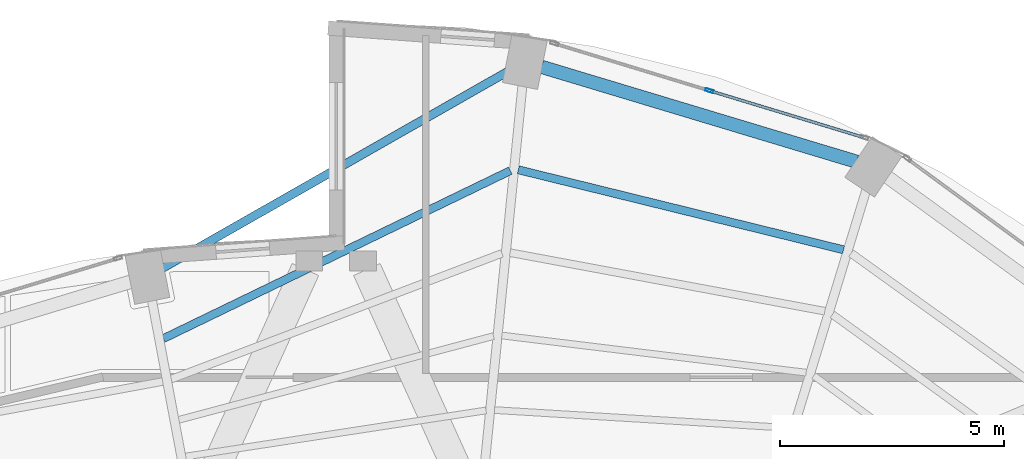
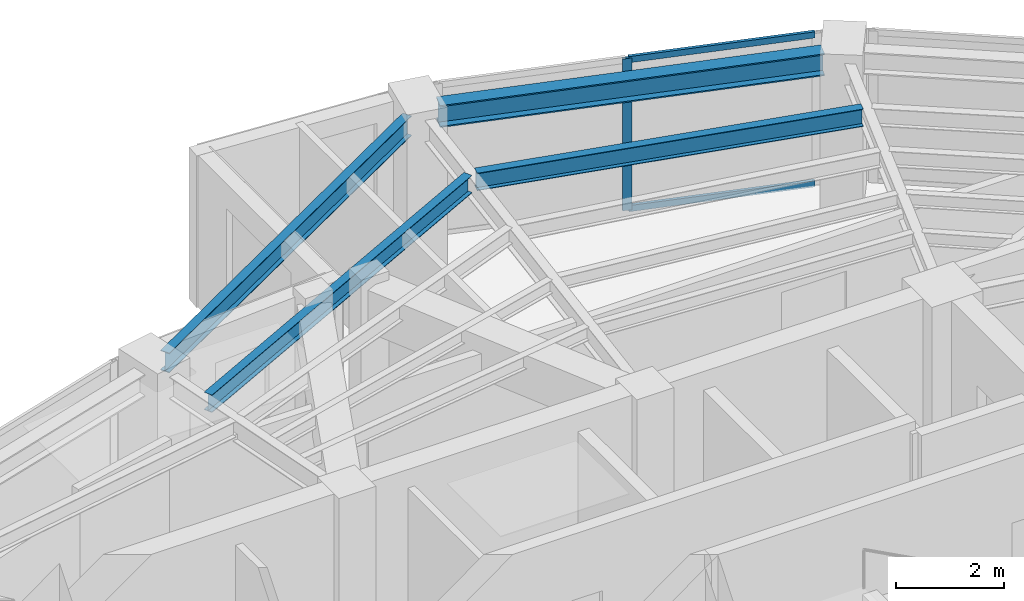
# One storey, part 16 of 23: 4 beams, 3 members, 1 element without a shape of its own.
"""IFC4 building model written with IfcOpenShell, lengths in metres."""

from ifc_helpers import new_model, si_unit, direction, frame, origin, origin_2d, place, context, subcontext, project, spatial, hollow_rectangle, i_section, extrude, material, layer, layer_set, material_profile, profile_set, type_object, element, aggregate, save


model = new_model("IFC4")

# Units and contexts
model_context = context("Model", 3, precision=1e-05, world=origin(), true_north=direction((0.0, 1.0)))
body_context = subcontext(model_context, "Body", "Model", "MODEL_VIEW")
ifc_project = project(units=[si_unit("LENGTHUNIT", "METRE"), si_unit("AREAUNIT", "SQUARE_METRE"), si_unit("VOLUMEUNIT", "CUBIC_METRE"), si_unit("PLANEANGLEUNIT", "RADIAN"), si_unit("MASSUNIT", "GRAM", prefix="KILO")], contexts=[model_context])

# Site, building, storey
site_placement = place(None, origin())
site = spatial("IfcSite", under=ifc_project, at=site_placement, CompositionType="ELEMENT")
building_placement = place(site_placement, origin())
building = spatial("IfcBuilding", under=site, at=building_placement, Name="Lazwardi Medical Tower", CompositionType="ELEMENT")
storey_placement = place(building_placement, frame((0.0, 0.0, 234.9599609375)))
storey = spatial("IfcBuildingStorey", under=building, at=storey_placement, Name="L61", CompositionType="ELEMENT", Elevation=234.9599609375)

# Beams
ifc_material_1 = material(Name="Steel S355", Category="steel")
ifc_material_profile_1 = material_profile(ifc_material_1, i_section(OverallWidth=0.300048828125, OverallDepth=0.5, WebThickness=0.014404296875, FlangeThickness=0.028076171875, at=origin_2d()), Name="HEB 500")
ifc_profile_set_1 = profile_set([ifc_material_profile_1], Name="Steel S355")
beam_type_1 = type_object("IfcBeamType", Name="BM-RB-Z4", PredefinedType="BEAM", material=ifc_profile_set_1)
beam_1_placement = place(storey_placement, frame((47.626953125, 43.56640625, 3.197998046875), z_axis=(-0.957544311906, 0.288286126506, 0.0), x_axis=(-0.288286126506, -0.957544311906, 0.0)))
element("IfcBeam", 1, at=beam_1_placement, inside=storey, type_object=beam_type_1, Name="Ring beam RB-05 B07 L61", PredefinedType="BEAM", context=body_context, shape_type="SweptSolid", body=[
    extrude(i_section(OverallWidth=0.300048828125, OverallDepth=0.5, WebThickness=0.014404296875, FlangeThickness=0.028076171875, at=origin_2d()), origin(), (0.0, 0.0, 1.0), 7.3515625),
])
ifc_material_profile_2 = material_profile(ifc_material_1, i_section(OverallWidth=0.179931640625, OverallDepth=0.39990234375, WebThickness=0.008544921875, FlangeThickness=0.013427734375, at=origin_2d()), Name="IPE 400")
ifc_profile_set_2 = profile_set([ifc_material_profile_2], Name="Steel S355")
beam_type_2 = type_object("IfcBeamType", Name="BM-SJ-01", PredefinedType="JOIST", material=ifc_profile_set_2)
beam_2_placement = place(storey_placement, frame((47.334228515625, 41.59912109375, 3.248046875), z_axis=(-0.971041669317, 0.238910184904, 0.0), x_axis=(-0.238910184904, -0.971041669317, 0.0)))
element("IfcBeam", 2, at=beam_2_placement, inside=storey, type_object=beam_type_2, Name="Secondary joist SJ-01 R1 B07 L61", PredefinedType="JOIST", context=body_context, shape_type="SweptSolid", body=[
    extrude(i_section(OverallWidth=0.179931640625, OverallDepth=0.39990234375, WebThickness=0.008544921875, FlangeThickness=0.013427734375, at=origin_2d()), origin(), (0.0, 0.0, 1.0), 7.482421875),
])
beam_3_placement = place(storey_placement, frame((39.89111328125, 43.367919921875, 3.248046875), z_axis=(-0.900068885459, -0.435747635024, 0.0), x_axis=(0.435747635024, -0.900068885459, 0.0)))
element("IfcBeam", 3, at=beam_3_placement, inside=storey, type_object=beam_type_2, Name="Secondary joist SJ-01 R1 B08 L61", PredefinedType="JOIST", context=body_context, shape_type="SweptSolid", body=[
    extrude(i_section(OverallWidth=0.179931640625, OverallDepth=0.39990234375, WebThickness=0.008544921875, FlangeThickness=0.013427734375, at=origin_2d()), origin(), (0.0, 0.0, 1.0), 8.612548828125),
])
ifc_material_profile_3 = material_profile(ifc_material_1, i_section(OverallWidth=0.18994140625, OverallDepth=0.449951171875, WebThickness=0.009521484375, FlangeThickness=0.0146484375, at=origin_2d()), Name="IPE 450")
ifc_profile_set_3 = profile_set([ifc_material_profile_3], Name="Steel S355")
beam_type_3 = type_object("IfcBeamType", Name="BM-SP-01", PredefinedType="SPANDREL", material=ifc_profile_set_3)
beam_4_placement = place(storey_placement, frame((39.875, 45.605224609375, 3.22314453125), z_axis=(-0.868954808466, -0.494891443494, 0.0), x_axis=(0.494891443494, -0.868954808466, 0.0)))
element("IfcBeam", 4, at=beam_4_placement, inside=storey, type_object=beam_type_3, Name="Spandrel beam SP-01 B08 L61", PredefinedType="SPANDREL", context=body_context, shape_type="SweptSolid", body=[
    extrude(i_section(OverallWidth=0.18994140625, OverallDepth=0.449951171875, WebThickness=0.009521484375, FlangeThickness=0.0146484375, at=origin_2d()), origin(), (0.0, 0.0, 1.0), 8.918701171875),
])

# Curtain wall, members
ifc_material_2 = material(Name="Anodised bronze aluminium and solar control glazing", Category="aluminium")
ifc_layer = layer(ifc_material_2, 0.18994140625)
ifc_layer_set = layer_set([ifc_layer], Name="Anodised bronze aluminium and solar control glazing")
curtain_wall_type = type_object("IfcCurtainWallType", Name="CW-SYS-04", PredefinedType="NOTDEFINED", material=ifc_layer_set)
curtain_wall_placement = place(storey_placement, origin())
curtain_wall = element("IfcCurtainWall", 5, at=curtain_wall_placement, inside=storey, type_object=curtain_wall_type, Name="L61 Unitised bronze curtain wall CW-04", PredefinedType="NOTDEFINED")
ifc_material_3 = material(Name="Anodised bronze aluminium", Category="aluminium")
ifc_material_profile_4 = material_profile(ifc_material_3, hollow_rectangle(XDim=0.06494140625, YDim=0.179931640625, WallThickness=0.00390625, at=origin_2d()), Name="ALU-MULLION 180x65x4")
ifc_profile_set_4 = profile_set([ifc_material_profile_4], Name="Anodised bronze aluminium")
member_type_1 = type_object("IfcMemberType", Name="CW-MUL-03", PredefinedType="MULLION", material=ifc_profile_set_4)
member_1_placement = place(storey_placement, frame((44.33642578125, 45.1552734375, 0.0), z_axis=(0.0, 0.0, 1.0), x_axis=(-0.290581889515, -0.956850126972, 0.0)))
member_1 = element("IfcMember", 6, at=member_1_placement, type_object=member_type_1, Name="CW-04 mullion 2", PredefinedType="MULLION", context=body_context, shape_type="SweptSolid", body=[
    extrude(hollow_rectangle(XDim=0.06494140625, YDim=0.179931640625, WallThickness=0.00390625, at=origin_2d()), origin(), (0.0, 0.0, 1.0), 3.447998046875),
])
ifc_material_profile_5 = material_profile(ifc_material_3, hollow_rectangle(XDim=0.06494140625, YDim=0.139892578125, WallThickness=0.00341796875, at=origin_2d()), Name="ALU-TRANSOM 140x65x3.5")
ifc_profile_set_5 = profile_set([ifc_material_profile_5], Name="Anodised bronze aluminium")
member_type_2 = type_object("IfcMemberType", Name="CW-TRN-03", PredefinedType="USERDEFINED", material=ifc_profile_set_5)
member_2_placement = place(storey_placement, frame((47.7685546875, 44.113037109375, 0.032470703125), z_axis=(-0.956862505902, 0.290541124109, 0.0), x_axis=(-0.290541124109, -0.956862505902, 0.0)))
member_2 = element("IfcMember", 7, at=member_2_placement, type_object=member_type_2, Name="CW-04 transom 1.1", ObjectType="TRANSOM", PredefinedType="USERDEFINED", context=body_context, shape_type="SweptSolid", body=[
    extrude(hollow_rectangle(XDim=0.06494140625, YDim=0.139892578125, WallThickness=0.00341796875, at=origin_2d()), origin(), (0.0, 0.0, 1.0), 3.554443359375),
])
member_3_placement = place(storey_placement, frame((47.7685546875, 44.113037109375, 3.41552734375), z_axis=(-0.956862505902, 0.290541124109, 0.0), x_axis=(-0.290541124109, -0.956862505902, 0.0)))
member_3 = element("IfcMember", 8, at=member_3_placement, type_object=member_type_2, Name="CW-04 transom 1.2", ObjectType="TRANSOM", PredefinedType="USERDEFINED", context=body_context, shape_type="SweptSolid", body=[
    extrude(hollow_rectangle(XDim=0.06494140625, YDim=0.139892578125, WallThickness=0.00341796875, at=origin_2d()), origin(), (0.0, 0.0, 1.0), 3.554443359375),
])
aggregate(curtain_wall, [member_1, member_2, member_3])

save(model, "model.ifc")
